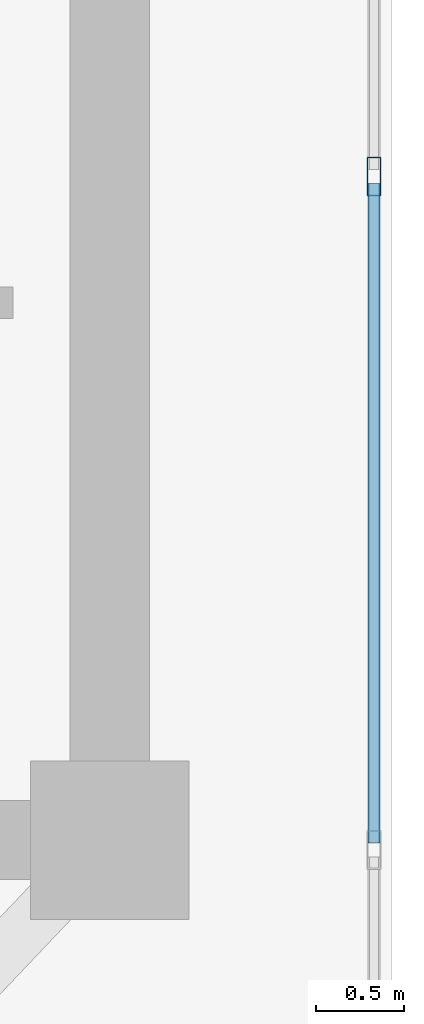
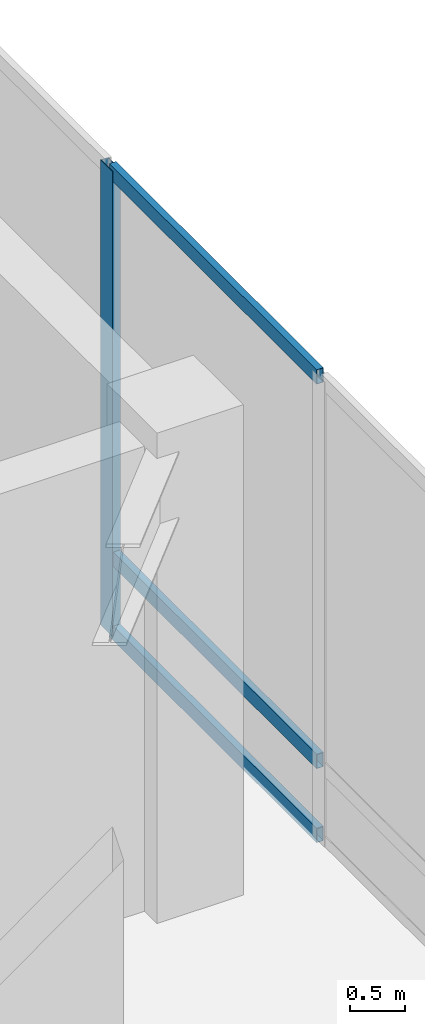
# One storey, part 15 of 30: 4 members, 1 element without a shape of its own.
"""IFC4 building model written with IfcOpenShell, lengths in metres."""

from ifc_helpers import new_model, si_unit, direction, frame, origin, origin_2d, place, context, subcontext, project, spatial, hollow_rectangle, extrude, source, transform, mapped, material, layer, layer_set, material_profile, profile_set, type_object, type_shapes, element, aggregate, save


model = new_model("IFC4")

# Units and contexts
model_context = context("Model", 3, precision=1e-05, world=origin(), true_north=direction((0.0, 1.0)))
body_context = subcontext(model_context, "Body", "Model", "MODEL_VIEW")
ifc_project = project(units=[si_unit("LENGTHUNIT", "METRE"), si_unit("AREAUNIT", "SQUARE_METRE"), si_unit("VOLUMEUNIT", "CUBIC_METRE"), si_unit("PLANEANGLEUNIT", "RADIAN"), si_unit("MASSUNIT", "GRAM", prefix="KILO")], contexts=[model_context])

# Site, building, storey
site_placement = place(None, origin())
site = spatial("IfcSite", under=ifc_project, at=site_placement, CompositionType="ELEMENT")
building_placement = place(site_placement, origin())
building = spatial("IfcBuilding", under=site, at=building_placement, Name="Haelvirn Gate Laboratories", CompositionType="ELEMENT")
storey_placement = place(building_placement, frame((0.0, 0.0, 332.39990234375)))
storey = spatial("IfcBuildingStorey", under=building, at=storey_placement, Name="L79", CompositionType="ELEMENT", Elevation=332.39990234375)

# Curtain wall, members
ifc_material_1 = material(Name="Anodised bronze unitised aluminium & triple low-E glass", Category="aluminium")
ifc_layer = layer(ifc_material_1, 0.19189453125, Name="CW-SYS-6")
ifc_layer_set = layer_set([ifc_layer], Name="Anodised bronze unitised aluminium & triple low-E glass")
curtain_wall_type = type_object("IfcCurtainWallType", Name="CW-SYS-6", PredefinedType="NOTDEFINED", material=ifc_layer_set)
curtain_wall_placement = place(storey_placement, origin())
curtain_wall = element("IfcCurtainWall", 1, at=curtain_wall_placement, inside=storey, type_object=curtain_wall_type, Name="L79 Unitised Curtain Wall CW-L79-P0-E07", PredefinedType="NOTDEFINED")
ifc_material_2 = material(Name="Extruded aluminium 6063-T6 (anodised bronze)", Category="aluminium")
ifc_material_profile_1 = material_profile(ifc_material_2, hollow_rectangle(XDim=0.080078125, YDim=0.219970703125, WallThickness=0.006103515625, at=origin_2d()), Name="CWM-220x80x6")
ifc_profile_set_1 = profile_set([ifc_material_profile_1], Name="Extruded aluminium 6063-T6 (anodised bronze)")
member_type_1 = type_object("IfcMemberType", Name="CWM-T220", PredefinedType="MULLION", material=ifc_profile_set_1)
shared_shape_1 = source(origin(), body_context, "Body", "SweptSolid", [
    extrude(hollow_rectangle(XDim=0.080078125, YDim=0.219970703125, WallThickness=0.006103515625, at=origin_2d()), origin(), (0.0, 0.0, 1.0), 5.1201171875),
])
type_shapes(member_type_1, [shared_shape_1])
member_1_placement = place(storey_placement, frame((68.89990234375, 18.566650390625, 0.0), z_axis=(0.0, 0.0, 1.0), x_axis=(-1.0, 0.0, 0.0)))
member_1 = element("IfcMember", 2, at=member_1_placement, type_object=member_type_1, Name="CW6 mullion 4", PredefinedType="MULLION", context=body_context, shape_type="MappedRepresentation", body=[
    mapped(shared_shape_1, transform((0.0, 0.0, 0.0), scale=1.0)),
])
ifc_material_profile_2 = material_profile(ifc_material_2, hollow_rectangle(XDim=0.070068359375, YDim=0.159912109375, WallThickness=0.0048828125, at=origin_2d()), Name="CWT-160x70x5")
ifc_profile_set_2 = profile_set([ifc_material_profile_2], Name="Extruded aluminium 6063-T6 (anodised bronze)")
member_type_2 = type_object("IfcMemberType", Name="CWT-T160", PredefinedType="USERDEFINED", material=ifc_profile_set_2)
shared_shape_2 = source(origin(), body_context, "Body", "SweptSolid", [
    extrude(hollow_rectangle(XDim=0.070068359375, YDim=0.159912109375, WallThickness=0.0048828125, at=origin_2d()), origin(), (0.0, 0.0, 1.0), 3.7421875),
])
type_shapes(member_type_2, [shared_shape_2])
member_2_placement = place(storey_placement, frame((68.89990234375, 14.784423828125, 0.03515625), z_axis=(0.0, 1.0, 0.0), x_axis=(-1.0, 0.0, 0.0)))
member_2 = element("IfcMember", 3, at=member_2_placement, type_object=member_type_2, Name="CW6 transom 3.1", ObjectType="TRANSOM", PredefinedType="USERDEFINED", context=body_context, shape_type="MappedRepresentation", body=[
    mapped(shared_shape_2, transform((0.0, 0.0, 0.0), scale=1.0)),
])
member_3_placement = place(storey_placement, frame((68.89990234375, 14.784423828125, 0.85009765625), z_axis=(0.0, 1.0, 0.0), x_axis=(-1.0, 0.0, 0.0)))
member_3 = element("IfcMember", 4, at=member_3_placement, type_object=member_type_2, Name="CW6 transom 3.2", ObjectType="TRANSOM", PredefinedType="USERDEFINED", context=body_context, shape_type="MappedRepresentation", body=[
    mapped(shared_shape_2, transform((0.0, 0.0, 0.0), scale=1.0)),
])
member_4_placement = place(storey_placement, frame((68.89990234375, 14.784423828125, 5.085205078125), z_axis=(0.0, 1.0, 0.0), x_axis=(-1.0, 0.0, 0.0)))
member_4 = element("IfcMember", 5, at=member_4_placement, type_object=member_type_2, Name="CW6 transom 3.3", ObjectType="TRANSOM", PredefinedType="USERDEFINED", context=body_context, shape_type="MappedRepresentation", body=[
    mapped(shared_shape_2, transform((0.0, 0.0, 0.0), scale=1.0)),
])
aggregate(curtain_wall, [member_1, member_2, member_3, member_4])

save(model, "model.ifc")
